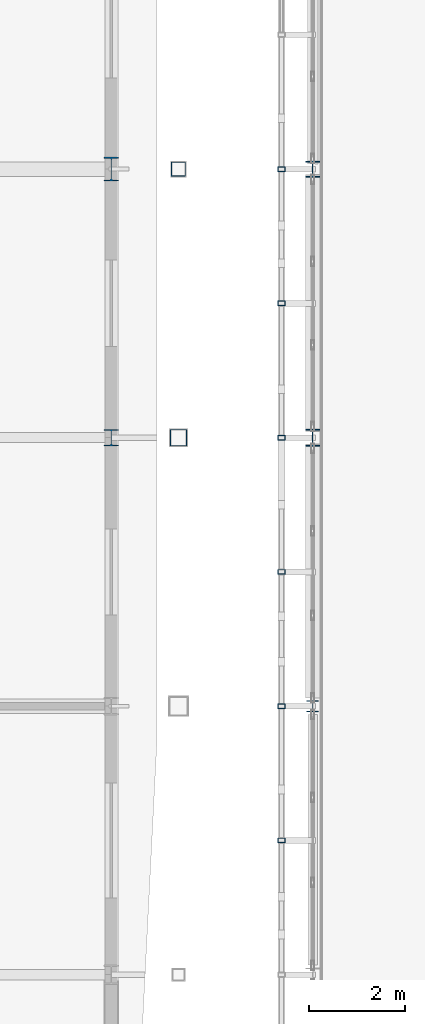
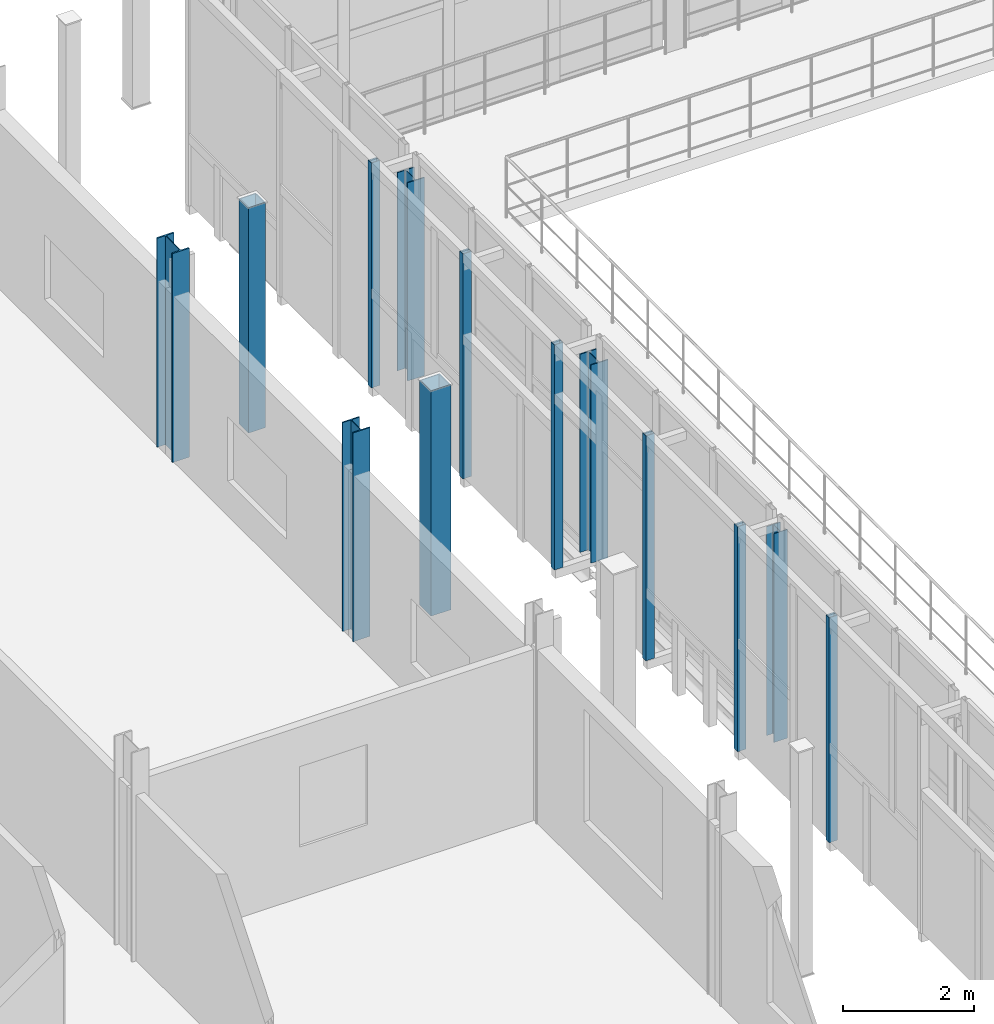
# One storey, part 6 of 78: 13 columns.
"""IFC4 building model written with IfcOpenShell, lengths in metres."""

from ifc_helpers import new_model, si_unit, direction, frame, origin, origin_2d, place, context, subcontext, project, spatial, hollow_rectangle, i_section, extrude, material, material_profile, profile_set, type_object, element, save


model = new_model("IFC4")

# Units and contexts
model_context = context("Model", 3, precision=1e-05, world=origin(), true_north=direction((0.0, 1.0)))
body_context = subcontext(model_context, "Body", "Model", "MODEL_VIEW")
ifc_project = project(units=[si_unit("LENGTHUNIT", "METRE"), si_unit("AREAUNIT", "SQUARE_METRE"), si_unit("VOLUMEUNIT", "CUBIC_METRE"), si_unit("PLANEANGLEUNIT", "RADIAN"), si_unit("MASSUNIT", "GRAM", prefix="KILO")], contexts=[model_context])

# Site, building, storey
site_placement = place(None, origin())
site = spatial("IfcSite", under=ifc_project, at=site_placement, CompositionType="ELEMENT")
building_placement = place(site_placement, origin())
building = spatial("IfcBuilding", under=site, at=building_placement, Name="Vinh Khe Railworks Police Headquarters", CompositionType="ELEMENT")
storey_placement = place(building_placement, frame((0.0, 0.0, 13.199951171875)))
storey = spatial("IfcBuildingStorey", under=building, at=storey_placement, Name="L03", CompositionType="ELEMENT", Elevation=13.199951171875)

# Columns
ifc_material = material(Name="Steel S355JR", Category="steel")
ifc_material_profile_1 = material_profile(ifc_material, hollow_rectangle(XDim=0.14990234375, YDim=0.10009765625, WallThickness=0.008056640625, at=origin_2d()), Name="RHS 150x100x8")
ifc_profile_set_1 = profile_set([ifc_material_profile_1], Name="Steel S355JR")
column_type_1 = type_object("IfcColumnType", Name="COL-QUILT-POST", PredefinedType="COLUMN", material=ifc_profile_set_1)
for number, where, z_axis, x_axis, name in (
    (1, (25.75, 39.199951171875, 0.0), (0.0, 0.0, 1.0), (1.0, 0.0, 0.0), "Patchwork Quilt Carrier Column W-6 (L03)"),
    (2, (25.75, 42.0, 0.0), (0.0, 0.0, 1.0), (1.0, 0.0, 0.0), "Patchwork Quilt Carrier Column W-7 (L03)"),
    (3, (25.75, 44.800048828125, 0.0), (0.0, 0.0, 1.0), (1.0, 0.0, 0.0), "Patchwork Quilt Carrier Column W-8 (L03)"),
    (4, (25.75, 47.60009765625, 0.0), (0.0, 0.0, 1.0), (1.0, 0.0, 0.0), "Patchwork Quilt Carrier Column W-9 (L03)"),
    (5, (25.75, 50.39990234375, 0.0), (0.0, 0.0, 1.0), (1.0, 0.0, 0.0), "Patchwork Quilt Carrier Column W-10 (L03)"),
    (6, (25.75, 53.199951171875, 0.0), (0.0, 0.0, 1.0), (1.0, 0.0, 0.0), "Patchwork Quilt Carrier Column W-11 (L03)"),
):
    element("IfcColumn", number, at=place(storey_placement, frame(where, z_axis=z_axis, x_axis=x_axis)), inside=storey, type_object=column_type_1, Name=name, PredefinedType="COLUMN", context=body_context, shape_type="SweptSolid", body=[
        extrude(hollow_rectangle(XDim=0.14990234375, YDim=0.10009765625, WallThickness=0.008056640625, at=origin_2d()), origin(), (0.0, 0.0, 1.0), 4.199951171875),
    ])
ifc_material_profile_2 = material_profile(ifc_material, i_section(OverallWidth=0.239990234375, OverallDepth=0.22998046875, WebThickness=0.007568359375, FlangeThickness=0.011962890625, FilletRadius=0.02099609375, at=origin_2d()), Name="HEA 240")
ifc_profile_set_2 = profile_set([ifc_material_profile_2], Name="Steel S355JR")
column_type_2 = type_object("IfcColumnType", Name="Steel Column HEA 240", PredefinedType="COLUMN", material=ifc_profile_set_2)
column_1_placement = place(storey_placement, frame((26.39990234375, 42.0, 0.0), z_axis=(0.0, 0.0, 1.0), x_axis=(1.0, 0.0, 0.0)))
element("IfcColumn", 7, at=column_1_placement, inside=storey, type_object=column_type_2, Name="Column COL-L03-SC-20-0741", PredefinedType="COLUMN", context=body_context, shape_type="SweptSolid", body=[
    extrude(i_section(OverallWidth=0.239990234375, OverallDepth=0.22998046875, WebThickness=0.007568359375, FlangeThickness=0.011962890625, FilletRadius=0.02099609375, at=origin_2d()), origin(), (0.0, 0.0, 1.0), 3.900146484375),
])
ifc_material_profile_3 = material_profile(ifc_material, i_section(OverallWidth=0.300048828125, OverallDepth=0.330078125, WebThickness=0.009521484375, FlangeThickness=0.0166015625, FilletRadius=0.027099609375, at=origin_2d()), Name="HEA 340")
ifc_profile_set_3 = profile_set([ifc_material_profile_3], Name="Steel S355JR")
column_type_3 = type_object("IfcColumnType", Name="Steel Column HEA 340", PredefinedType="COLUMN", material=ifc_profile_set_3)
column_2_placement = place(storey_placement, frame((26.39990234375, 53.199951171875, 0.0), z_axis=(0.0, 0.0, 1.0), x_axis=(1.0, 0.0, 0.0)))
element("IfcColumn", 8, at=column_2_placement, inside=storey, type_object=column_type_3, Name="Column COL-L03-SC-17-0751", PredefinedType="COLUMN", context=body_context, shape_type="SweptSolid", body=[
    extrude(i_section(OverallWidth=0.300048828125, OverallDepth=0.330078125, WebThickness=0.009521484375, FlangeThickness=0.0166015625, FilletRadius=0.027099609375, at=origin_2d()), origin(), (0.0, 0.0, 1.0), 3.699951171875),
])
ifc_material_profile_4 = material_profile(ifc_material, i_section(OverallWidth=0.300048828125, OverallDepth=0.35009765625, WebThickness=0.010009765625, FlangeThickness=0.017578125, FilletRadius=0.027099609375, at=origin_2d()), Name="HEA 360")
ifc_profile_set_4 = profile_set([ifc_material_profile_4], Name="Steel S355JR")
column_type_4 = type_object("IfcColumnType", Name="Steel Column HEA 360", PredefinedType="COLUMN", material=ifc_profile_set_4)
column_3_placement = place(storey_placement, frame((26.39990234375, 47.60009765625, 0.0), z_axis=(0.0, 0.0, 1.0), x_axis=(1.0, 0.0, 0.0)))
element("IfcColumn", 9, at=column_3_placement, inside=storey, type_object=column_type_4, Name="Column COL-L03-SC-16-0746", PredefinedType="COLUMN", context=body_context, shape_type="SweptSolid", body=[
    extrude(i_section(OverallWidth=0.300048828125, OverallDepth=0.35009765625, WebThickness=0.010009765625, FlangeThickness=0.017578125, FilletRadius=0.027099609375, at=origin_2d()), origin(), (0.0, 0.0, 1.0), 3.699951171875),
])
ifc_material_profile_5 = material_profile(ifc_material, i_section(OverallWidth=0.300048828125, OverallDepth=0.340087890625, WebThickness=0.011962890625, FlangeThickness=0.021484375, FilletRadius=0.027099609375, at=origin_2d()), Name="HEB 340")
ifc_profile_set_5 = profile_set([ifc_material_profile_5], Name="Steel S355JR")
column_type_5 = type_object("IfcColumnType", Name="Steel Column HEB 340", PredefinedType="COLUMN", material=ifc_profile_set_5)
column_4_placement = place(storey_placement, frame((22.199951171875, 47.60009765625, 0.0), z_axis=(0.0, 0.0, 1.0), x_axis=(1.0, 0.0, 0.0)))
element("IfcColumn", 10, at=column_4_placement, inside=storey, type_object=column_type_5, Name="Column COL-L03-SC-10-0557", PredefinedType="COLUMN", context=body_context, shape_type="SweptSolid", body=[
    extrude(i_section(OverallWidth=0.300048828125, OverallDepth=0.340087890625, WebThickness=0.011962890625, FlangeThickness=0.021484375, FilletRadius=0.027099609375, at=origin_2d()), origin(), (0.0, 0.0, 1.0), 3.900146484375),
])
ifc_material_profile_6 = material_profile(ifc_material, i_section(OverallWidth=0.300048828125, OverallDepth=0.5, WebThickness=0.014404296875, FlangeThickness=0.028076171875, FilletRadius=0.027099609375, at=origin_2d()), Name="HEB 500")
ifc_profile_set_6 = profile_set([ifc_material_profile_6], Name="Steel S355JR")
column_type_6 = type_object("IfcColumnType", Name="Steel Column HEB 500", PredefinedType="COLUMN", material=ifc_profile_set_6)
column_5_placement = place(storey_placement, frame((22.199951171875, 53.199951171875, 0.0), z_axis=(0.0, 0.0, 1.0), x_axis=(1.0, 0.0, 0.0)))
element("IfcColumn", 11, at=column_5_placement, inside=storey, type_object=column_type_6, Name="Column COL-L03-SC-06-0566", PredefinedType="COLUMN", context=body_context, shape_type="SweptSolid", body=[
    extrude(i_section(OverallWidth=0.300048828125, OverallDepth=0.5, WebThickness=0.014404296875, FlangeThickness=0.028076171875, FilletRadius=0.027099609375, at=origin_2d()), origin(), (0.0, 0.0, 1.0), 3.900146484375),
])
ifc_material_profile_7 = material_profile(ifc_material, hollow_rectangle(XDim=0.300048828125, YDim=0.300048828125, WallThickness=0.01611328125, at=origin_2d()), Name="SHS 300x300x16")
ifc_profile_set_7 = profile_set([ifc_material_profile_7], Name="Steel S355JR")
column_type_7 = type_object("IfcColumnType", Name="Steel Column SHS 300x300x16", PredefinedType="COLUMN", material=ifc_profile_set_7)
column_6_placement = place(storey_placement, frame((23.60009765625, 53.199951171875, 0.0), z_axis=(0.0, 0.0, 1.0), x_axis=(1.0, 0.0, 0.0)))
element("IfcColumn", 12, at=column_6_placement, inside=storey, type_object=column_type_7, Name="Column COL-L03-SC-23-0689", PredefinedType="COLUMN", context=body_context, shape_type="SweptSolid", body=[
    extrude(hollow_rectangle(XDim=0.300048828125, YDim=0.300048828125, WallThickness=0.01611328125, at=origin_2d()), origin(), (0.0, 0.0, 1.0), 4.199951171875),
])
ifc_material_profile_8 = material_profile(ifc_material, hollow_rectangle(XDim=0.35009765625, YDim=0.35009765625, WallThickness=0.01611328125, at=origin_2d()), Name="SHS 350x350x16")
ifc_profile_set_8 = profile_set([ifc_material_profile_8], Name="Steel S355JR")
column_type_8 = type_object("IfcColumnType", Name="Steel Column SHS 350x350x16", PredefinedType="COLUMN", material=ifc_profile_set_8)
column_7_placement = place(storey_placement, frame((23.60009765625, 47.60009765625, 0.0), z_axis=(0.0, 0.0, 1.0), x_axis=(1.0, 0.0, 0.0)))
element("IfcColumn", 13, at=column_7_placement, inside=storey, type_object=column_type_8, Name="Column COL-L03-SC-22-0684", PredefinedType="COLUMN", context=body_context, shape_type="SweptSolid", body=[
    extrude(hollow_rectangle(XDim=0.35009765625, YDim=0.35009765625, WallThickness=0.01611328125, at=origin_2d()), origin(), (0.0, 0.0, 1.0), 4.199951171875),
])

save(model, "model.ifc")
